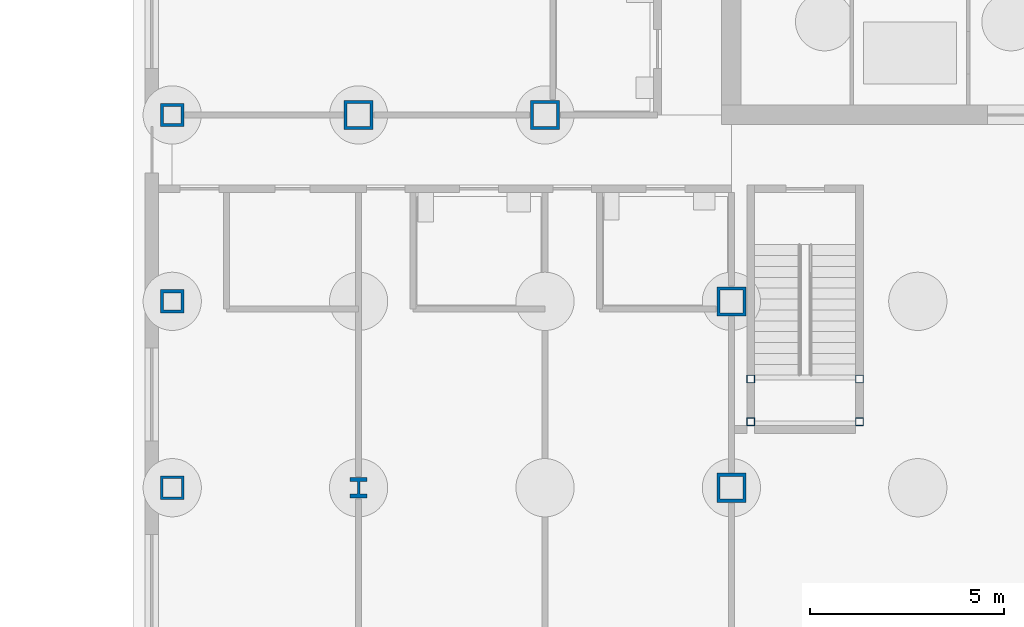
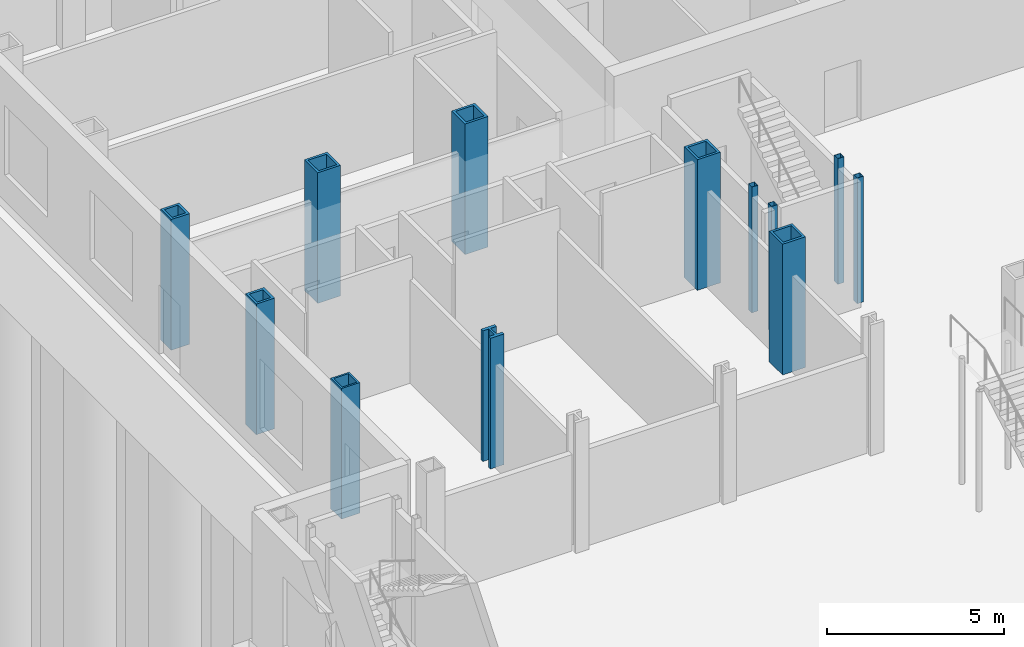
# One storey, part 4 of 22: 12 columns.
"""IFC4 building model written with IfcOpenShell, lengths in metres."""

from ifc_helpers import new_model, si_unit, direction, frame, origin, origin_2d, place, context, subcontext, project, spatial, hollow_rectangle, i_section, extrude, material, material_profile, profile_set, type_object, element, save


model = new_model("IFC4")

# Units and contexts
model_context = context("Model", 3, precision=1e-05, world=origin(), true_north=direction((0.0, 1.0)))
body_context = subcontext(model_context, "Body", "Model", "MODEL_VIEW")
ifc_project = project(units=[si_unit("LENGTHUNIT", "METRE"), si_unit("AREAUNIT", "SQUARE_METRE"), si_unit("VOLUMEUNIT", "CUBIC_METRE"), si_unit("PLANEANGLEUNIT", "RADIAN"), si_unit("MASSUNIT", "GRAM", prefix="KILO")], contexts=[model_context])

# Site, building, storey
site_placement = place(None, origin())
site = spatial("IfcSite", under=ifc_project, at=site_placement, CompositionType="ELEMENT")
building_placement = place(site_placement, origin())
building = spatial("IfcBuilding", under=site, at=building_placement, Name="Kvirike Care Tower", CompositionType="ELEMENT")
storey_placement = place(building_placement, origin())
storey = spatial("IfcBuildingStorey", under=building, at=storey_placement, Name="L00", CompositionType="ELEMENT", Elevation=0.0)

# Columns
ifc_material_1 = material(Name="Steel S460", Category="steel")
ifc_material_profile_1 = material_profile(ifc_material_1, hollow_rectangle(XDim=0.60009765625, YDim=0.60009765625, WallThickness=0.06005859375, at=origin_2d()), Name="BX 600x600x60")
ifc_profile_set_1 = profile_set([ifc_material_profile_1], Name="Steel S460")
column_type_1 = type_object("IfcColumnType", Name="COLUMN BX 600x600x60", PredefinedType="COLUMN", material=ifc_profile_set_1)
column_1_placement = place(storey_placement, frame((0.0, 19.199951171875, 0.0), z_axis=(0.0, 0.0, 1.0), x_axis=(1.0, 0.0, 0.0)))
element("IfcColumn", 1, at=column_1_placement, inside=storey, type_object=column_type_1, Name="Column E3 L00", PredefinedType="COLUMN", context=body_context, shape_type="SweptSolid", body=[
    extrude(hollow_rectangle(XDim=0.60009765625, YDim=0.60009765625, WallThickness=0.06005859375, at=origin_2d()), origin(), (0.0, 0.0, 1.0), 4.5),
])
ifc_material_2 = material(Name="Steel S460", Category="steel")
ifc_material_profile_2 = material_profile(ifc_material_2, hollow_rectangle(XDim=0.60009765625, YDim=0.60009765625, WallThickness=0.080078125, at=origin_2d()), Name="BX 600x600x80")
ifc_profile_set_2 = profile_set([ifc_material_profile_2], Name="Steel S460")
column_type_2 = type_object("IfcColumnType", Name="COLUMN BX 600x600x80", PredefinedType="COLUMN", material=ifc_profile_set_2)
for number, where, z_axis, x_axis, name in (
    (2, (0.0, 24.0, 0.0), (0.0, 0.0, 1.0), (1.0, 0.0, 0.0), "Column F3 L00"),
    (3, (0.0, 28.800048828125, 0.0), (0.0, 0.0, 1.0), (0.0, 1.0, 0.0), "Column G3 L00"),
):
    element("IfcColumn", number, at=place(storey_placement, frame(where, z_axis=z_axis, x_axis=x_axis)), inside=storey, type_object=column_type_2, Name=name, PredefinedType="COLUMN", context=body_context, shape_type="SweptSolid", body=[
        extrude(hollow_rectangle(XDim=0.60009765625, YDim=0.60009765625, WallThickness=0.080078125, at=origin_2d()), origin(), (0.0, 0.0, 1.0), 4.5),
    ])
ifc_material_3 = material(Name="Steel S460", Category="steel")
ifc_material_profile_3 = material_profile(ifc_material_3, hollow_rectangle(XDim=0.75, YDim=0.75, WallThickness=0.080078125, at=origin_2d()), Name="BX 750x750x80")
ifc_profile_set_3 = profile_set([ifc_material_profile_3], Name="Steel S460")
column_type_3 = type_object("IfcColumnType", Name="COLUMN BX 750x750x80", PredefinedType="COLUMN", material=ifc_profile_set_3)
for number, where, z_axis, x_axis, name in (
    (4, (4.800048828125, 28.800048828125, 0.0), (0.0, 0.0, 1.0), (0.0, 1.0, 0.0), "Column G4 L00"),
    (5, (9.60009765625, 28.800048828125, 0.0), (0.0, 0.0, 1.0), (0.0, 1.0, 0.0), "Column G5 L00"),
    (6, (14.39990234375, 19.199951171875, 0.0), (0.0, 0.0, 1.0), (1.0, 0.0, 0.0), "Column E6 L00"),
    (7, (14.39990234375, 24.0, 0.0), (0.0, 0.0, 1.0), (1.0, 0.0, 0.0), "Column F6 L00"),
):
    element("IfcColumn", number, at=place(storey_placement, frame(where, z_axis=z_axis, x_axis=x_axis)), inside=storey, type_object=column_type_3, Name=name, PredefinedType="COLUMN", context=body_context, shape_type="SweptSolid", body=[
        extrude(hollow_rectangle(XDim=0.75, YDim=0.75, WallThickness=0.080078125, at=origin_2d()), origin(), (0.0, 0.0, 1.0), 4.5),
    ])
ifc_material_4 = material(Name="Steel S460", Category="steel")
ifc_material_profile_4 = material_profile(ifc_material_4, i_section(OverallWidth=0.44189453125, OverallDepth=0.531005859375, WebThickness=0.06591796875, FlangeThickness=0.10595703125, FilletRadius=0.014892578125, at=origin_2d()), Name="HD 400x900")
ifc_profile_set_4 = profile_set([ifc_material_profile_4], Name="Steel S460")
column_type_4 = type_object("IfcColumnType", Name="COLUMN HD 400x900", PredefinedType="COLUMN", material=ifc_profile_set_4)
column_2_placement = place(storey_placement, frame((4.800048828125, 19.199951171875, 0.0), z_axis=(0.0, 0.0, 1.0), x_axis=(1.0, 0.0, 0.0)))
element("IfcColumn", 8, at=column_2_placement, inside=storey, type_object=column_type_4, Name="Column E4 L00", PredefinedType="COLUMN", context=body_context, shape_type="SweptSolid", body=[
    extrude(i_section(OverallWidth=0.44189453125, OverallDepth=0.531005859375, WebThickness=0.06591796875, FlangeThickness=0.10595703125, FilletRadius=0.014892578125, at=origin_2d()), origin(), (0.0, 0.0, 1.0), 4.5),
])
ifc_material_5 = material(Name="Steel S460", Category="steel")
ifc_material_profile_5 = material_profile(ifc_material_5, hollow_rectangle(XDim=0.199951171875, YDim=0.199951171875, WallThickness=0.008056640625, at=origin_2d()), Name="SHS 200x200x8")
ifc_profile_set_5 = profile_set([ifc_material_profile_5], Name="Steel S460")
column_type_5 = type_object("IfcColumnType", Name="STAIR POST SHS 200x200x8", PredefinedType="COLUMN", material=ifc_profile_set_5)
for number, where, z_axis, x_axis, name in (
    (9, (14.89990234375, 20.89990234375, 0.0), (0.0, 0.0, 1.0), (1.0, 0.0, 0.0), "Stair 5 post 1 L00"),
    (10, (17.699951171875, 20.89990234375, 0.0), (0.0, 0.0, 1.0), (1.0, 0.0, 0.0), "Stair 5 post 2 L00"),
    (11, (14.89990234375, 22.0, 0.0), (0.0, 0.0, 1.0), (1.0, 0.0, 0.0), "Stair 5 post 3 L00"),
    (12, (17.699951171875, 22.0, 0.0), (0.0, 0.0, 1.0), (1.0, 0.0, 0.0), "Stair 5 post 4 L00"),
):
    element("IfcColumn", number, at=place(storey_placement, frame(where, z_axis=z_axis, x_axis=x_axis)), inside=storey, type_object=column_type_5, Name=name, PredefinedType="COLUMN", context=body_context, shape_type="SweptSolid", body=[
        extrude(hollow_rectangle(XDim=0.199951171875, YDim=0.199951171875, WallThickness=0.008056640625, at=origin_2d()), origin(), (0.0, 0.0, 1.0), 4.330078125),
    ])

save(model, "model.ifc")
